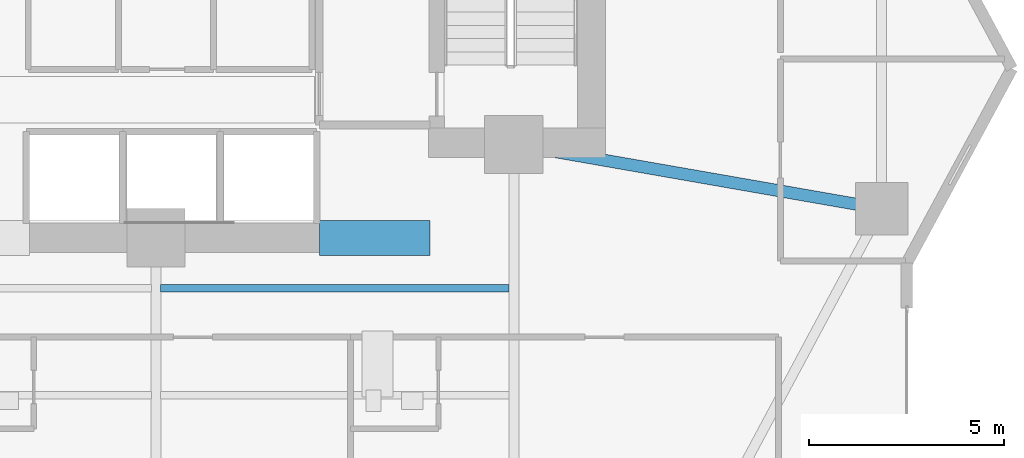
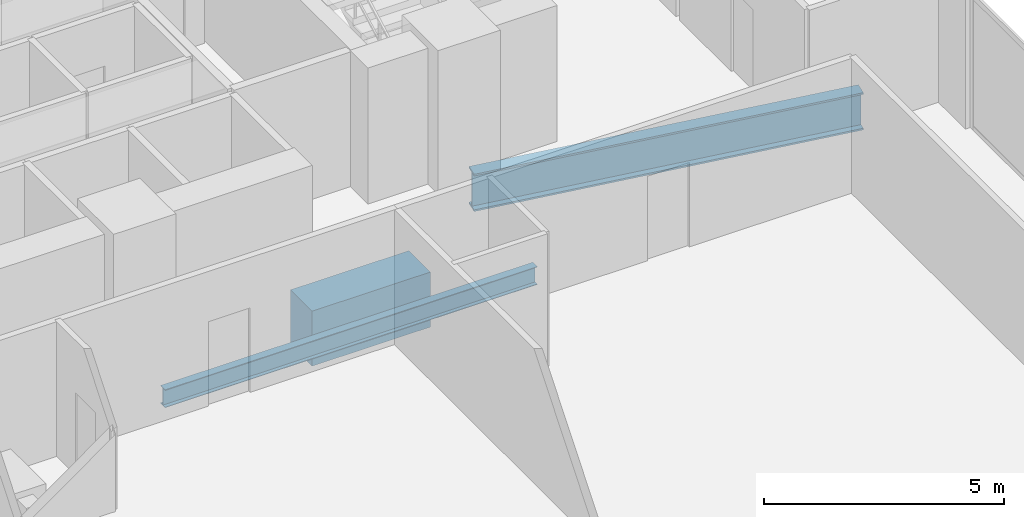
# One storey, part 12 of 28: 3 beams.
"""IFC4 building model written with IfcOpenShell, lengths in metres."""

from ifc_helpers import new_model, si_unit, direction, frame, origin, origin_2d, place, context, subcontext, project, spatial, rectangle, i_section, extrude, material, material_profile, profile_set, type_object, element, save


model = new_model("IFC4")

# Units and contexts
model_context = context("Model", 3, precision=1e-05, world=origin(), true_north=direction((0.0, 1.0)))
body_context = subcontext(model_context, "Body", "Model", "MODEL_VIEW")
ifc_project = project(units=[si_unit("LENGTHUNIT", "METRE"), si_unit("AREAUNIT", "SQUARE_METRE"), si_unit("VOLUMEUNIT", "CUBIC_METRE"), si_unit("PLANEANGLEUNIT", "RADIAN"), si_unit("MASSUNIT", "GRAM", prefix="KILO")], contexts=[model_context])

# Site, building, storey
site_placement = place(None, origin())
site = spatial("IfcSite", under=ifc_project, at=site_placement, CompositionType="ELEMENT")
building_placement = place(site_placement, origin())
building = spatial("IfcBuilding", under=site, at=building_placement, Name="Zuhayl Quay Hotel", CompositionType="ELEMENT")
storey_placement = place(building_placement, frame((0.0, 0.0, 143.10009765625)))
storey = spatial("IfcBuildingStorey", under=building, at=storey_placement, Name="L36", CompositionType="ELEMENT", Elevation=143.10009765625)

# Beams
ifc_material_1 = material(Name="Concrete C60/75", Category="concrete")
ifc_material_profile_1 = material_profile(ifc_material_1, rectangle(XDim=0.89990234375, YDim=1.39990234375, at=origin_2d()), Name="RC900X1400")
ifc_profile_set_1 = profile_set([ifc_material_profile_1], Name="Concrete C60/75")
beam_type_1 = type_object("IfcBeamType", Name="BM_CB1_RC900", PredefinedType="T_BEAM", material=ifc_profile_set_1)
beam_1_placement = place(storey_placement, frame((8.800048828125, 2.14990234375, -0.920166015625), z_axis=(1.0, 0.0, 0.0), x_axis=(0.0, 1.0, 0.0)))
element("IfcBeam", 1, at=beam_1_placement, inside=storey, type_object=beam_type_1, Name="L36 Core Coupling Beam SE", PredefinedType="T_BEAM", context=body_context, shape_type="SweptSolid", body=[
    extrude(rectangle(XDim=0.89990234375, YDim=1.39990234375, at=origin_2d()), origin(), (0.0, 0.0, 1.0), 2.849853515625),
])
ifc_material_2 = material(Name="Steel ASTM A992 Grade 50", Category="steel")
ifc_material_profile_2 = material_profile(ifc_material_2, i_section(OverallWidth=0.18994140625, OverallDepth=0.45703125, WebThickness=0.009033203125, FlangeThickness=0.014404296875, at=origin_2d()), Name="W18X50")
ifc_profile_set_2 = profile_set([ifc_material_profile_2], Name="Steel ASTM A992 Grade 50")
beam_type_2 = type_object("IfcBeamType", Name="BM_J2_W18X50", PredefinedType="JOIST", material=ifc_profile_set_2)
beam_2_placement = place(storey_placement, frame((4.718994140625, 0.85009765625, -0.448486328125), z_axis=(1.0, 0.0, 0.0), x_axis=(0.0, 1.0, 0.0)))
element("IfcBeam", 2, at=beam_2_placement, inside=storey, type_object=beam_type_2, Name="L36 Floor Beam FJ_L36_9_3", PredefinedType="JOIST", context=body_context, shape_type="SweptSolid", body=[
    extrude(i_section(OverallWidth=0.18994140625, OverallDepth=0.45703125, WebThickness=0.009033203125, FlangeThickness=0.014404296875, at=origin_2d()), origin(), (0.0, 0.0, 1.0), 8.9619140625),
])
ifc_material_profile_3 = material_profile(ifc_material_2, i_section(OverallWidth=0.31005859375, OverallDepth=0.949951171875, WebThickness=0.0244140625, FlangeThickness=0.0439453125, at=origin_2d()), Name="W36X256")
ifc_profile_set_3 = profile_set([ifc_material_profile_3], Name="Steel ASTM A992 Grade 50")
beam_type_3 = type_object("IfcBeamType", Name="BM_PG1_W36X256", PredefinedType="BEAM", material=ifc_profile_set_3)
beam_3_placement = place(storey_placement, frame((14.243408203125, 4.47265625, -0.695068359375), z_axis=(0.985097302632, -0.171997977741, 0.0), x_axis=(0.171997977741, 0.985097302632, 0.0)))
element("IfcBeam", 3, at=beam_3_placement, inside=storey, type_object=beam_type_3, Name="L36 Floor Beam FG_E_L36_1", PredefinedType="BEAM", context=body_context, shape_type="SweptSolid", body=[
    extrude(i_section(OverallWidth=0.31005859375, OverallDepth=0.949951171875, WebThickness=0.0244140625, FlangeThickness=0.0439453125, at=origin_2d()), origin(), (0.0, 0.0, 1.0), 8.64306640625),
])

save(model, "model.ifc")
